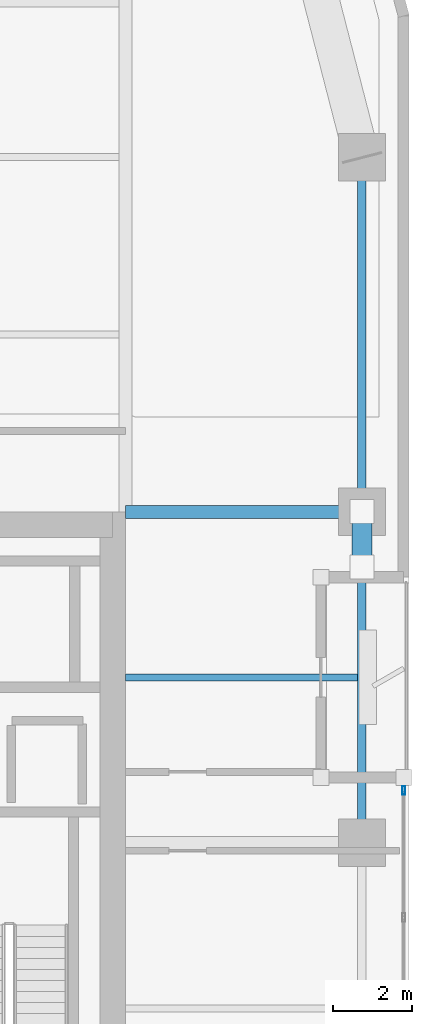
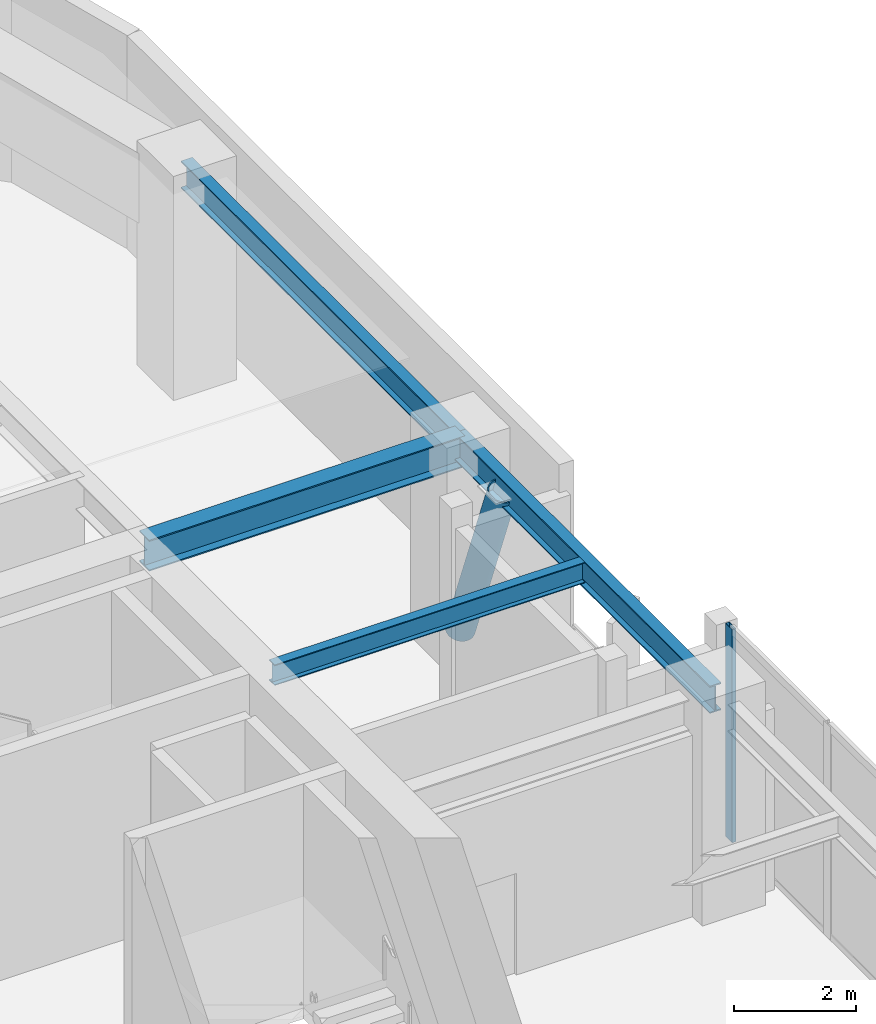
# One storey, part 6 of 21: 4 beams, 2 members, 1 element without a shape of its own.
"""IFC4 building model written with IfcOpenShell, lengths in metres."""

from ifc_helpers import new_model, si_unit, direction, frame, origin, origin_2d, place, context, subcontext, project, spatial, hollow_rectangle, hollow_circle, i_section, extrude, material, layer, layer_set, material_profile, profile_set, type_object, element, aggregate, save


model = new_model("IFC4")

# Units and contexts
model_context = context("Model", 3, precision=1e-05, world=origin(), true_north=direction((0.0, 1.0)))
body_context = subcontext(model_context, "Body", "Model", "MODEL_VIEW")
ifc_project = project(units=[si_unit("LENGTHUNIT", "METRE"), si_unit("AREAUNIT", "SQUARE_METRE"), si_unit("VOLUMEUNIT", "CUBIC_METRE"), si_unit("PLANEANGLEUNIT", "RADIAN"), si_unit("MASSUNIT", "GRAM", prefix="KILO")], contexts=[model_context])

# Site, building, storey
site_placement = place(None, origin())
site = spatial("IfcSite", under=ifc_project, at=site_placement, CompositionType="ELEMENT")
building_placement = place(site_placement, origin())
building = spatial("IfcBuilding", under=site, at=building_placement, Name="Kiyonajd Concourse Tower", CompositionType="ELEMENT")
storey_placement = place(building_placement, frame((0.0, 0.0, 181.800048828125)))
storey = spatial("IfcBuildingStorey", under=building, at=storey_placement, Name="L46", CompositionType="ELEMENT", Elevation=181.800048828125)

# Beams
ifc_material_1 = material(Name="Steel ASTM A992 Grade 50", Category="steel")
ifc_material_profile_1 = material_profile(ifc_material_1, i_section(OverallWidth=0.180908203125, OverallDepth=0.4169921875, WebThickness=0.010986328125, FlangeThickness=0.018310546875, at=origin_2d()), Name="W410X85")
ifc_profile_set_1 = profile_set([ifc_material_profile_1], Name="Steel ASTM A992 Grade 50")
beam_type_1 = type_object("IfcBeamType", Name="BM-JST-410", PredefinedType="JOIST", material=ifc_profile_set_1)
beam_1_placement = place(storey_placement, frame((63.60009765625, 40.199951171875, 4.071533203125), z_axis=(1.0, 0.0, 0.0), x_axis=(0.0, 1.0, 0.0)))
element("IfcBeam", 1, at=beam_1_placement, inside=storey, type_object=beam_type_1, Name="L46 East Secondary Floor Joist", PredefinedType="JOIST", context=body_context, shape_type="SweptSolid", body=[
    extrude(i_section(OverallWidth=0.180908203125, OverallDepth=0.4169921875, WebThickness=0.010986328125, FlangeThickness=0.018310546875, at=origin_2d()), origin(), (0.0, 0.0, 1.0), 5.892822265625),
])
ifc_material_profile_2 = material_profile(ifc_material_1, i_section(OverallWidth=0.214111328125, OverallDepth=0.549072265625, WebThickness=0.0146484375, FlangeThickness=0.023681640625, at=origin_2d()), Name="W530X138")
ifc_profile_set_2 = profile_set([ifc_material_profile_2], Name="Steel ASTM A992 Grade 50")
beam_type_2 = type_object("IfcBeamType", Name="BM-SPAN-530A", PredefinedType="SPANDREL", material=ifc_profile_set_2)
beam_2_placement = place(storey_placement, frame((69.60009765625, 36.0, 4.00537109375), z_axis=(0.0, 1.0, 0.0), x_axis=(-1.0, 0.0, 0.0)))
element("IfcBeam", 2, at=beam_2_placement, inside=storey, type_object=beam_type_2, Name="L46 Perimeter Bundled Tube Spandrel", PredefinedType="SPANDREL", context=body_context, shape_type="SweptSolid", body=[
    extrude(i_section(OverallWidth=0.214111328125, OverallDepth=0.549072265625, WebThickness=0.0146484375, FlangeThickness=0.023681640625, at=origin_2d()), origin(), (0.0, 0.0, 1.0), 8.39990234375),
])
beam_3_placement = place(storey_placement, frame((69.60009765625, 44.39990234375, 4.00537109375), z_axis=(0.0, 1.0, 0.0), x_axis=(-1.0, 0.0, 0.0)))
element("IfcBeam", 3, at=beam_3_placement, inside=storey, type_object=beam_type_2, Name="L46 Perimeter Bundled Tube Spandrel", PredefinedType="SPANDREL", context=body_context, shape_type="SweptSolid", body=[
    extrude(i_section(OverallWidth=0.214111328125, OverallDepth=0.549072265625, WebThickness=0.0146484375, FlangeThickness=0.023681640625, at=origin_2d()), origin(), (0.0, 0.0, 1.0), 9.0),
])
ifc_material_profile_3 = material_profile(ifc_material_1, i_section(OverallWidth=0.326904296875, OverallDepth=0.6220703125, WebThickness=0.015380859375, FlangeThickness=0.0244140625, at=origin_2d()), Name="W610X195")
ifc_profile_set_3 = profile_set([ifc_material_profile_3], Name="Steel ASTM A992 Grade 50")
beam_type_3 = type_object("IfcBeamType", Name="BM-TWR-610A", PredefinedType="BEAM", material=ifc_profile_set_3)
beam_4_placement = place(storey_placement, frame((63.60009765625, 44.39990234375, 3.968994140625), z_axis=(1.0, 0.0, 0.0), x_axis=(0.0, 1.0, 0.0)))
element("IfcBeam", 4, at=beam_4_placement, inside=storey, type_object=beam_type_3, Name="L46 East Lease Girder", PredefinedType="BEAM", context=body_context, shape_type="SweptSolid", body=[
    extrude(i_section(OverallWidth=0.326904296875, OverallDepth=0.6220703125, WebThickness=0.015380859375, FlangeThickness=0.0244140625, at=origin_2d()), origin(), (0.0, 0.0, 1.0), 6.0),
])

# Curtain wall, member
ifc_material_2 = material(Name="Thermally Broken Anodised Aluminium", Category="aluminium")
ifc_layer = layer(ifc_material_2, 0.179931640625)
ifc_layer_set = layer_set([ifc_layer], Name="Thermally Broken Anodised Aluminium")
curtain_wall_type = type_object("IfcCurtainWallType", Name="CW-SYS-05", PredefinedType="NOTDEFINED", material=ifc_layer_set)
curtain_wall_placement = place(storey_placement, origin())
curtain_wall = element("IfcCurtainWall", 5, at=curtain_wall_placement, inside=storey, type_object=curtain_wall_type, Name="L46 Unitised Curtain Wall CW5", PredefinedType="NOTDEFINED")
ifc_material_profile_4 = material_profile(ifc_material_2, hollow_rectangle(XDim=0.074951171875, YDim=0.219970703125, WallThickness=0.0048828125, at=origin_2d()), Name="MULL-75x220")
ifc_profile_set_4 = profile_set([ifc_material_profile_4], Name="Thermally Broken Anodised Aluminium")
member_type_1 = type_object("IfcMemberType", Name="MB-CW-MULL2", PredefinedType="MULLION", material=ifc_profile_set_4)
member_1_placement = place(storey_placement, frame((70.659912109375, 37.33251953125, 0.0), z_axis=(0.0, 0.0, 1.0), x_axis=(1.0, 0.0, 0.0)))
member_1 = element("IfcMember", 6, at=member_1_placement, type_object=member_type_1, Name="CW5 mullion 1", PredefinedType="MULLION", context=body_context, shape_type="SweptSolid", body=[
    extrude(hollow_rectangle(XDim=0.074951171875, YDim=0.219970703125, WallThickness=0.0048828125, at=origin_2d()), origin(), (0.0, 0.0, 1.0), 4.280029296875),
])
aggregate(curtain_wall, [member_1])

# Member
ifc_material_3 = material(Name="Steel ASTM A500 Grade C", Category="steel")
ifc_material_profile_5 = material_profile(ifc_material_3, hollow_circle(Radius=0.25390625, WallThickness=0.02197265625, at=origin_2d()), Name="CHS-508x22")
ifc_profile_set_5 = profile_set([ifc_material_profile_5], Name="Steel ASTM A500 Grade C")
member_type_2 = type_object("IfcMemberType", Name="MB-PB-MID", PredefinedType="BRACE", material=ifc_profile_set_5)
member_2_placement = place(storey_placement, frame((69.60009765625, 44.39990234375, 0.300048828125), z_axis=(0.0, -0.359828366716, 0.933018513486), x_axis=(1.0, 0.0, 0.0)))
element("IfcMember", 7, at=member_2_placement, inside=storey, type_object=member_type_2, Name="L46 Upper Zone Hollow Tube Brace PBE", PredefinedType="BRACE", context=body_context, shape_type="SweptSolid", body=[
    extrude(hollow_circle(Radius=0.25390625, WallThickness=0.02197265625, at=origin_2d()), origin(), (0.0, 0.0, 1.0), 3.890380859375),
])

save(model, "model.ifc")
